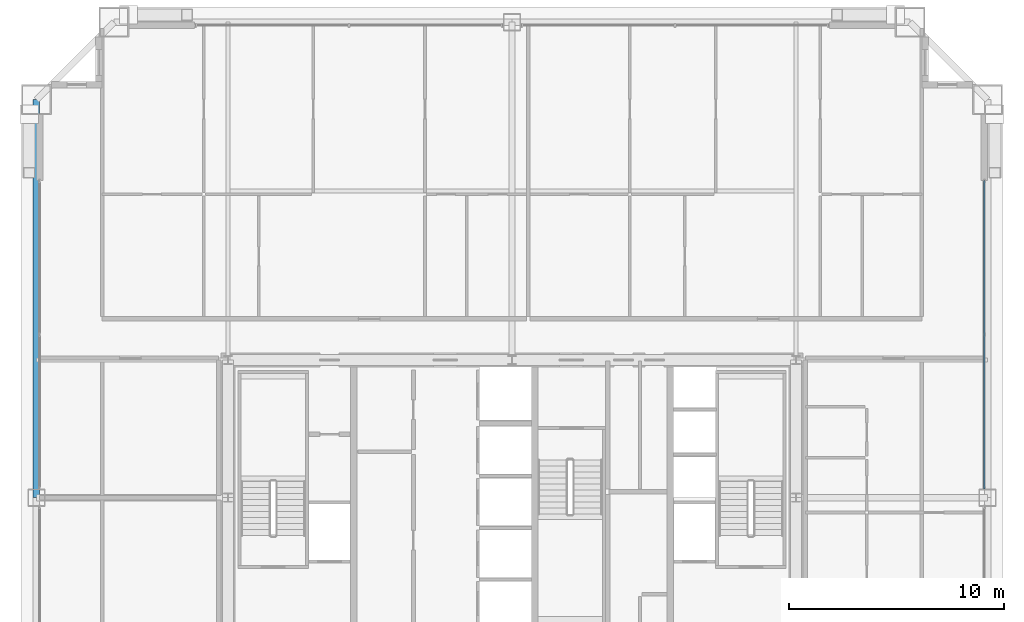
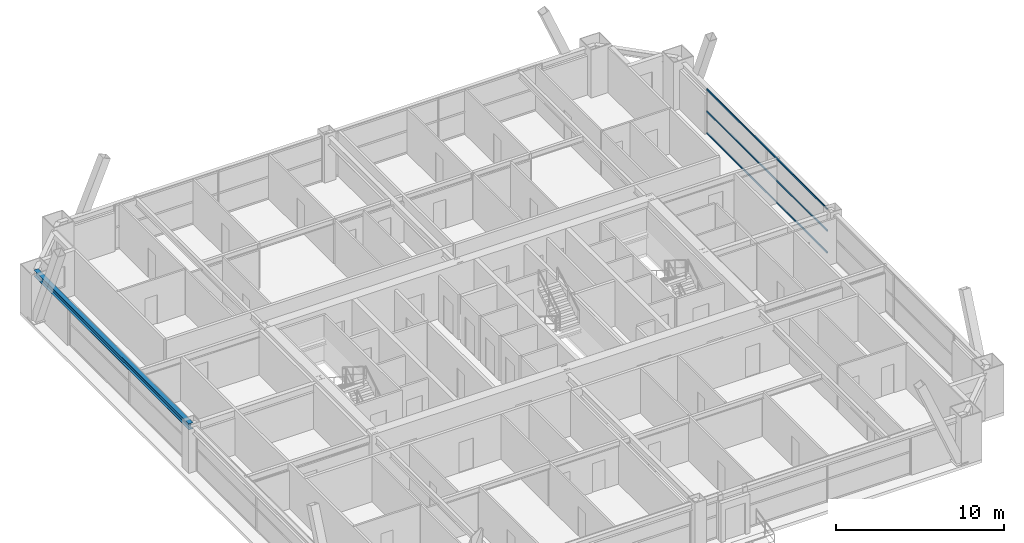
# One storey, part 29 of 45: 3 members, 1 beam, 1 element without a shape of its own.
"""IFC4 building model written with IfcOpenShell, lengths in metres."""

from ifc_helpers import new_model, si_unit, direction, frame, origin, origin_2d, place, context, subcontext, project, spatial, hollow_rectangle, i_section, extrude, source, transform, mapped, material, layer, layer_set, material_profile, profile_set, type_object, element, aggregate, save


model = new_model("IFC4")

# Units and contexts
model_context = context("Model", 3, precision=1e-05, world=origin(), true_north=direction((0.0, 1.0)))
body_context = subcontext(model_context, "Body", "Model", "MODEL_VIEW")
ifc_project = project(units=[si_unit("LENGTHUNIT", "METRE"), si_unit("AREAUNIT", "SQUARE_METRE"), si_unit("VOLUMEUNIT", "CUBIC_METRE"), si_unit("PLANEANGLEUNIT", "RADIAN"), si_unit("MASSUNIT", "GRAM", prefix="KILO"), si_unit("THERMODYNAMICTEMPERATUREUNIT", "KELVIN"), si_unit("POWERUNIT", "WATT")], contexts=[model_context])

# Site, building, storey
site_placement = place(None, origin())
site = spatial("IfcSite", under=ifc_project, at=site_placement, CompositionType="ELEMENT")
building_placement = place(site_placement, origin())
building = spatial("IfcBuilding", under=site, at=building_placement, Name="Yuzanri Waterfront Tower", CompositionType="ELEMENT")
storey_placement = place(building_placement, frame((0.0, 0.0, 198.5)))
storey = spatial("IfcBuildingStorey", under=building, at=storey_placement, Name="L52", CompositionType="ELEMENT", Elevation=198.5)

# Beam
ifc_material_1 = material(Name="Steel Q355B", Category="steel")
ifc_material_profile_1 = material_profile(ifc_material_1, i_section(OverallWidth=0.300048828125, OverallDepth=0.43994140625, WebThickness=0.010986328125, FlangeThickness=0.01806640625, at=origin_2d()), Name="HM 440x300x11x18")
ifc_profile_set_1 = profile_set([ifc_material_profile_1], Name="Steel Q355B")
beam_type = type_object("IfcBeamType", Name="Perimeter Spandrel Q355B HM 440x300", PredefinedType="SPANDREL", material=ifc_profile_set_1)
shared_shape_1 = source(origin(), body_context, "Body", "SweptSolid", [
    extrude(i_section(OverallWidth=0.300048828125, OverallDepth=0.43994140625, WebThickness=0.010986328125, FlangeThickness=0.01806640625, at=origin_2d()), origin(), (0.0, 0.0, 1.0), 18.5),
])
beam_placement = place(storey_placement, frame((14.89990234375, 44.300048828125, 3.06005859375), z_axis=(0.0, -1.0, 0.0), x_axis=(1.0, 0.0, 0.0)))
element("IfcBeam", 1, at=beam_placement, inside=storey, type_object=beam_type, Name="L52 Perimeter Spandrel W3-W2", PredefinedType="SPANDREL", context=body_context, shape_type="MappedRepresentation", body=[
    mapped(shared_shape_1, transform((0.0, 0.0, 0.0), scale=1.0)),
])

# Curtain wall, members
ifc_material_2 = material(Name="Anodized Architectural Bronze", Category="metal")
ifc_layer = layer(ifc_material_2, 0.159912109375)
ifc_layer_set = layer_set([ifc_layer], Name="Anodized Architectural Bronze")
curtain_wall_type = type_object("IfcCurtainWallType", Name="Anodized Bronze Mid-Rise Residential Acoustic Unitized Curtain Wall 7200", PredefinedType="NOTDEFINED", material=ifc_layer_set)
curtain_wall_placement = place(storey_placement, origin())
curtain_wall = element("IfcCurtainWall", 2, at=curtain_wall_placement, inside=storey, type_object=curtain_wall_type, Name="L52 Curtain Wall CW-L52-ER", PredefinedType="NOTDEFINED")
ifc_material_3 = material(Name="Anodized Architectural Bronze", Category="metal")
ifc_material_profile_2 = material_profile(ifc_material_3, hollow_rectangle(XDim=0.06494140625, YDim=0.1201171875, WallThickness=0.00341796875, at=origin_2d()), Name="CWT 65x120")
ifc_profile_set_2 = profile_set([ifc_material_profile_2], Name="Anodized Architectural Bronze")
member_type = type_object("IfcMemberType", Name="Anodized Bronze Secondary Curtain-Wall Transom 65x120", PredefinedType="USERDEFINED", material=ifc_profile_set_2)
shared_shape_2 = source(origin(), body_context, "Body", "SweptSolid", [
    extrude(hollow_rectangle(XDim=0.06494140625, YDim=0.1201171875, WallThickness=0.00341796875, at=origin_2d()), origin(), (0.0, 0.0, 1.0), 14.35009765625),
])
member_1_placement = place(storey_placement, frame((58.949951171875, 26.199951171875, 0.050048828125), z_axis=(0.0, 1.0, 0.0), x_axis=(-1.0, 0.0, 0.0)))
member_1 = element("IfcMember", 3, at=member_1_placement, type_object=member_type, Name="CW-L52-ER Transom 1", ObjectType="TRANSOM", PredefinedType="USERDEFINED", context=body_context, shape_type="MappedRepresentation", body=[
    mapped(shared_shape_2, transform((0.0, 0.0, 0.0), scale=1.0)),
])
member_2_placement = place(storey_placement, frame((58.949951171875, 26.199951171875, 1.639892578125), z_axis=(0.0, 1.0, 0.0), x_axis=(-1.0, 0.0, 0.0)))
member_2 = element("IfcMember", 4, at=member_2_placement, type_object=member_type, Name="CW-L52-ER Transom 2", ObjectType="TRANSOM", PredefinedType="USERDEFINED", context=body_context, shape_type="MappedRepresentation", body=[
    mapped(shared_shape_2, transform((0.0, 0.0, 0.0), scale=1.0)),
])
member_3_placement = place(storey_placement, frame((58.949951171875, 26.199951171875, 3.22998046875), z_axis=(0.0, 1.0, 0.0), x_axis=(-1.0, 0.0, 0.0)))
member_3 = element("IfcMember", 5, at=member_3_placement, type_object=member_type, Name="CW-L52-ER Transom 3", ObjectType="TRANSOM", PredefinedType="USERDEFINED", context=body_context, shape_type="MappedRepresentation", body=[
    mapped(shared_shape_2, transform((0.0, 0.0, 0.0), scale=1.0)),
])
aggregate(curtain_wall, [member_1, member_2, member_3])

save(model, "model.ifc")
